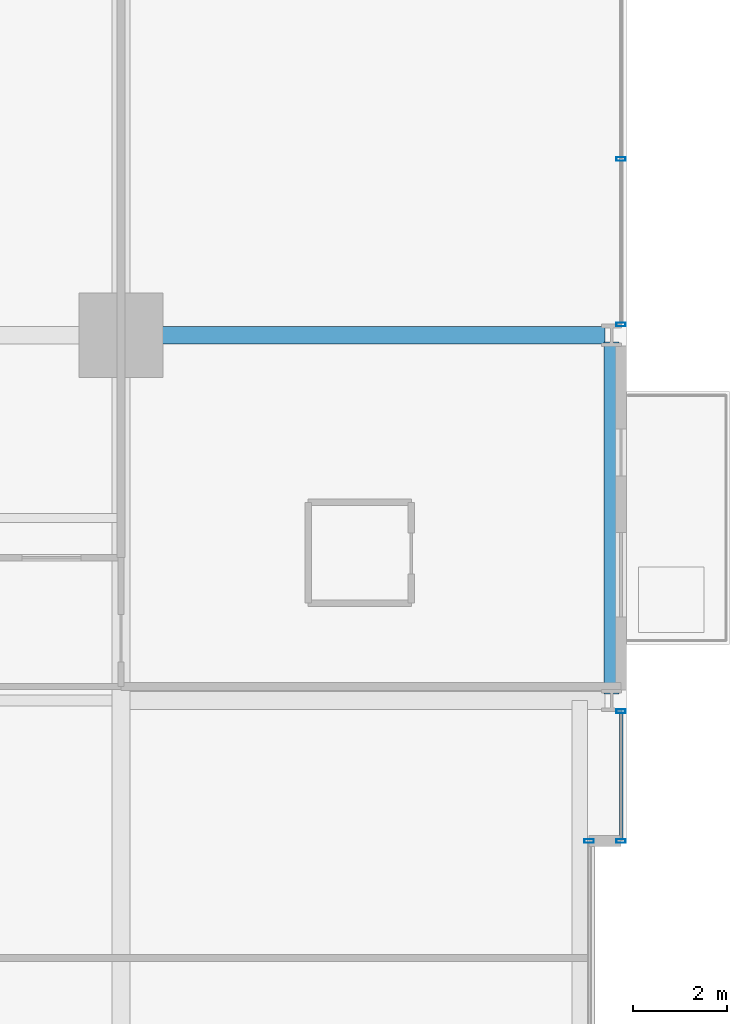
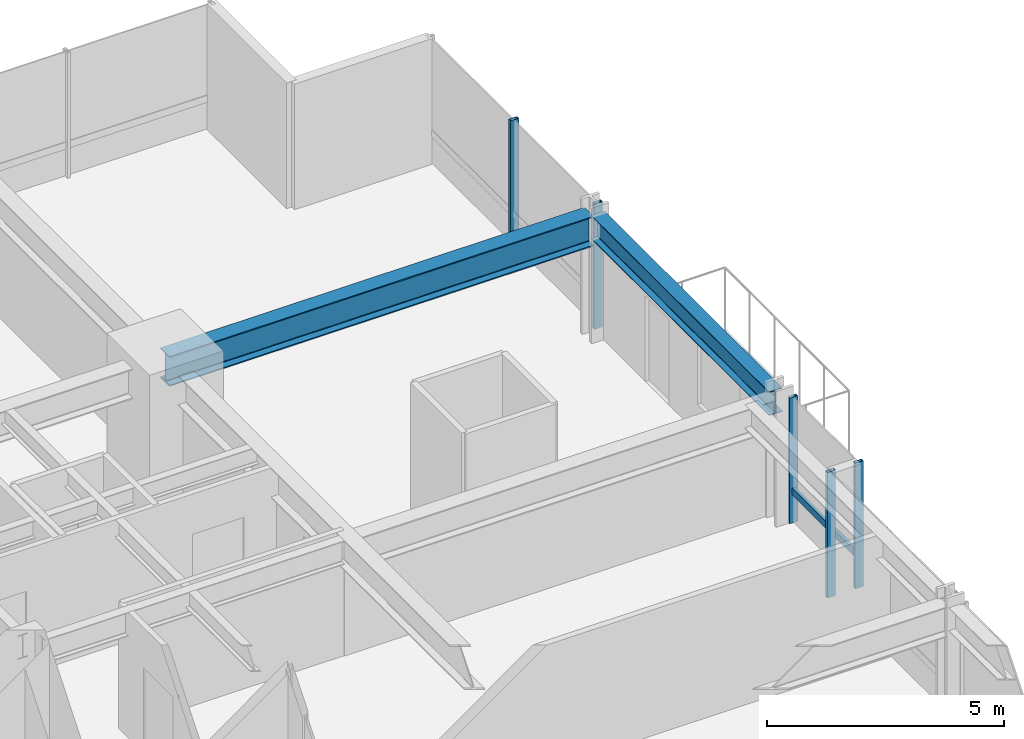
# One storey, part 25 of 38: 6 members, 2 beams, 3 elements without a shape of their own.
"""IFC4 building model written with IfcOpenShell, lengths in metres."""

from ifc_helpers import new_model, si_unit, direction, frame, origin, origin_2d, place, context, subcontext, project, spatial, hollow_rectangle, i_section, extrude, material, layer, layer_set, material_profile, profile_set, type_object, element, aggregate, save


model = new_model("IFC4")

# Units and contexts
model_context = context("Model", 3, precision=1e-05, world=origin(), true_north=direction((0.0, 1.0)))
body_context = subcontext(model_context, "Body", "Model", "MODEL_VIEW")
ifc_project = project(units=[si_unit("LENGTHUNIT", "METRE"), si_unit("AREAUNIT", "SQUARE_METRE"), si_unit("VOLUMEUNIT", "CUBIC_METRE"), si_unit("PLANEANGLEUNIT", "RADIAN"), si_unit("MASSUNIT", "GRAM", prefix="KILO")], contexts=[model_context])

# Site, building, storey
site_placement = place(None, origin())
site = spatial("IfcSite", under=ifc_project, at=site_placement, CompositionType="ELEMENT")
building_placement = place(site_placement, origin())
building = spatial("IfcBuilding", under=site, at=building_placement, Name="Drelvath Grand Hotel", CompositionType="ELEMENT")
storey_placement = place(building_placement, frame((0.0, 0.0, 64.699951171875)))
storey = spatial("IfcBuildingStorey", under=building, at=storey_placement, Name="L15", CompositionType="ELEMENT", Elevation=64.699951171875)

# Curtain wall, members
ifc_material_1 = material(Name="Warm Bronze Anodised Aluminium Frame", Category="aluminium")
ifc_layer = layer(ifc_material_1, 0.199951171875)
ifc_layer_set = layer_set([ifc_layer], Name="Warm Bronze Anodised Aluminium Frame")
curtain_wall_type = type_object("IfcCurtainWallType", Name="Stick Curtain Wall CW-02 Warm Bronze Low-Rise", PredefinedType="NOTDEFINED", material=ifc_layer_set)
curtain_wall_1_placement = place(storey_placement, origin())
curtain_wall_1 = element("IfcCurtainWall", 1, at=curtain_wall_1_placement, inside=storey, type_object=curtain_wall_type, Name="L15 CW-02 Curtain Wall CW02-L15-EN1", PredefinedType="NOTDEFINED")
ifc_material_profile_1 = material_profile(ifc_material_1, hollow_rectangle(XDim=0.074951171875, YDim=0.179931640625, WallThickness=0.0048828125, at=origin_2d()), Name="HSS180X75X5")
ifc_profile_set_1 = profile_set([ifc_material_profile_1], Name="Warm Bronze Anodised Aluminium Frame")
member_type_1 = type_object("IfcMemberType", Name="Curtain Wall Horizontal Transom CW-02 HSS180X75X5", PredefinedType="USERDEFINED", material=ifc_profile_set_1)
member_1_placement = place(storey_placement, frame((26.8798828125, 35.130859375, 0.81005859375), z_axis=(0.0, -1.0, 0.0), x_axis=(1.0, 0.0, 0.0)))
member_1 = element("IfcMember", 2, at=member_1_placement, type_object=member_type_1, Name="CW02-L15-EN1 Sill Transom", ObjectType="TRANSOM", PredefinedType="USERDEFINED", context=body_context, shape_type="SweptSolid", body=[
    extrude(hollow_rectangle(XDim=0.074951171875, YDim=0.179931640625, WallThickness=0.0048828125, at=origin_2d()), origin(), (0.0, 0.0, 1.0), 2.69091796875),
])
ifc_material_profile_2 = material_profile(ifc_material_1, hollow_rectangle(XDim=0.080078125, YDim=0.199951171875, WallThickness=0.0048828125, at=origin_2d()), Name="HSS200X80X5")
ifc_profile_set_2 = profile_set([ifc_material_profile_2], Name="Warm Bronze Anodised Aluminium Frame")
member_type_2 = type_object("IfcMemberType", Name="Curtain Wall Vertical Mullion CW-02 HSS200X80X5", PredefinedType="MULLION", material=ifc_profile_set_2)
member_2_placement = place(storey_placement, frame((26.8798828125, 35.1708984375, 0.0), z_axis=(0.0, 0.0, 1.0), x_axis=(0.0, 1.0, 0.0)))
member_2 = element("IfcMember", 3, at=member_2_placement, type_object=member_type_2, Name="CW02-L15-EN1 Mullion 1", PredefinedType="MULLION", context=body_context, shape_type="SweptSolid", body=[
    extrude(hollow_rectangle(XDim=0.080078125, YDim=0.199951171875, WallThickness=0.0048828125, at=origin_2d()), origin(), (0.0, 0.0, 1.0), 3.239990234375),
])
member_3_placement = place(storey_placement, frame((26.8798828125, 32.39990234375, 0.0), z_axis=(0.0, 0.0, 1.0), x_axis=(0.0, 1.0, 0.0)))
member_3 = element("IfcMember", 4, at=member_3_placement, type_object=member_type_2, Name="CW02-L15-EN1 Mullion 2", PredefinedType="MULLION", context=body_context, shape_type="SweptSolid", body=[
    extrude(hollow_rectangle(XDim=0.080078125, YDim=0.199951171875, WallThickness=0.0048828125, at=origin_2d()), origin(), (0.0, 0.0, 1.0), 3.239990234375),
])
aggregate(curtain_wall_1, [member_2, member_3, member_1])

curtain_wall_2_placement = place(storey_placement, origin())
curtain_wall_2 = element("IfcCurtainWall", 5, at=curtain_wall_2_placement, inside=storey, type_object=curtain_wall_type, Name="L15 CW-02 Curtain Wall CW02-L15-EN3", PredefinedType="NOTDEFINED")
member_4_placement = place(storey_placement, frame((26.8798828125, 46.964599609375, 0.0), z_axis=(0.0, 0.0, 1.0), x_axis=(0.0, 1.0, 0.0)))
member_4 = element("IfcMember", 6, at=member_4_placement, type_object=member_type_2, Name="CW02-L15-EN3 Mullion 2", PredefinedType="MULLION", context=body_context, shape_type="SweptSolid", body=[
    extrude(hollow_rectangle(XDim=0.080078125, YDim=0.199951171875, WallThickness=0.0048828125, at=origin_2d()), origin(), (0.0, 0.0, 1.0), 3.239990234375),
])
member_5_placement = place(storey_placement, frame((26.8798828125, 43.42919921875, 0.0), z_axis=(0.0, 0.0, 1.0), x_axis=(0.0, 1.0, 0.0)))
member_5 = element("IfcMember", 7, at=member_5_placement, type_object=member_type_2, Name="CW02-L15-EN3 Mullion 3", PredefinedType="MULLION", context=body_context, shape_type="SweptSolid", body=[
    extrude(hollow_rectangle(XDim=0.080078125, YDim=0.199951171875, WallThickness=0.0048828125, at=origin_2d()), origin(), (0.0, 0.0, 1.0), 3.239990234375),
])
aggregate(curtain_wall_2, [member_4, member_5])

# Curtain wall, member
curtain_wall_3_placement = place(storey_placement, origin())
curtain_wall_3 = element("IfcCurtainWall", 8, at=curtain_wall_3_placement, inside=storey, type_object=curtain_wall_type, Name="L15 CW-02 Curtain Wall CW02-L15-EM2", PredefinedType="NOTDEFINED")
member_6_placement = place(storey_placement, frame((26.199951171875, 32.39990234375, 0.0), z_axis=(0.0, 0.0, 1.0), x_axis=(0.0, 1.0, 0.0)))
member_6 = element("IfcMember", 9, at=member_6_placement, type_object=member_type_2, Name="CW02-L15-EM2 Mullion 1", PredefinedType="MULLION", context=body_context, shape_type="SweptSolid", body=[
    extrude(hollow_rectangle(XDim=0.080078125, YDim=0.199951171875, WallThickness=0.0048828125, at=origin_2d()), origin(), (0.0, 0.0, 1.0), 3.239990234375),
])
aggregate(curtain_wall_3, [member_6])

# Beams
ifc_material_2 = material(Name="Steel ASTM A992 Gr 50", Category="steel")
ifc_material_profile_3 = material_profile(ifc_material_2, i_section(OverallWidth=0.323974609375, OverallDepth=0.611083984375, WebThickness=0.0126953125, FlangeThickness=0.01904296875, FilletRadius=0.02197265625, at=origin_2d()), Name="W24X104")
ifc_profile_set_3 = profile_set([ifc_material_profile_3], Name="Steel ASTM A992 Gr 50")
beam_type_1 = type_object("IfcBeamType", Name="Perimeter Spandrel Beam W24X104", PredefinedType="SPANDREL", material=ifc_profile_set_3)
beam_1_placement = place(storey_placement, frame((26.679931640625, 35.5400390625, 2.9345703125), z_axis=(0.0, 1.0, 0.0), x_axis=(-1.0, 0.0, 0.0)))
element("IfcBeam", 10, at=beam_1_placement, inside=storey, type_object=beam_type_1, Name="L15 Spandrel East N", PredefinedType="SPANDREL", context=body_context, shape_type="SweptSolid", body=[
    extrude(i_section(OverallWidth=0.323974609375, OverallDepth=0.611083984375, WebThickness=0.0126953125, FlangeThickness=0.01904296875, FilletRadius=0.02197265625, at=origin_2d()), origin(), (0.0, 0.0, 1.0), 7.52001953125),
])
ifc_material_profile_4 = material_profile(ifc_material_2, i_section(OverallWidth=0.380615234375, OverallDepth=0.773193359375, WebThickness=0.0166015625, FlangeThickness=0.027099609375, FilletRadius=0.02490234375, at=origin_2d()), Name="W30X173")
ifc_profile_set_4 = profile_set([ifc_material_profile_4], Name="Steel ASTM A992 Gr 50")
beam_type_2 = type_object("IfcBeamType", Name="Primary Floor Girder W30X173", PredefinedType="BEAM", material=ifc_profile_set_4)
beam_2_placement = place(storey_placement, frame((16.199951171875, 43.199951171875, 2.853515625), z_axis=(1.0, 0.0, 0.0), x_axis=(0.0, 1.0, 0.0)))
element("IfcBeam", 11, at=beam_2_placement, inside=storey, type_object=beam_type_2, Name="L15 East Grid Girder G", PredefinedType="BEAM", context=body_context, shape_type="SweptSolid", body=[
    extrude(i_section(OverallWidth=0.380615234375, OverallDepth=0.773193359375, WebThickness=0.0166015625, FlangeThickness=0.027099609375, FilletRadius=0.02490234375, at=origin_2d()), origin(), (0.0, 0.0, 1.0), 10.340087890625),
])

save(model, "model.ifc")
